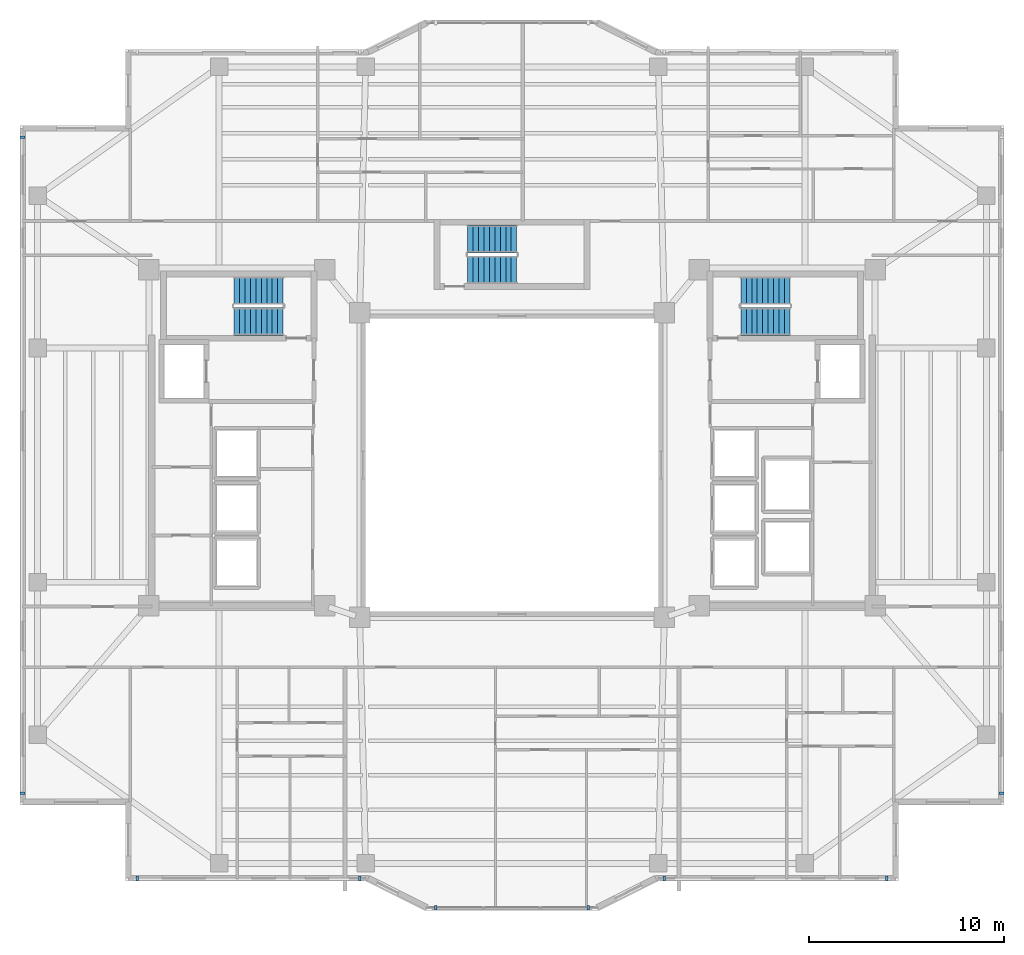
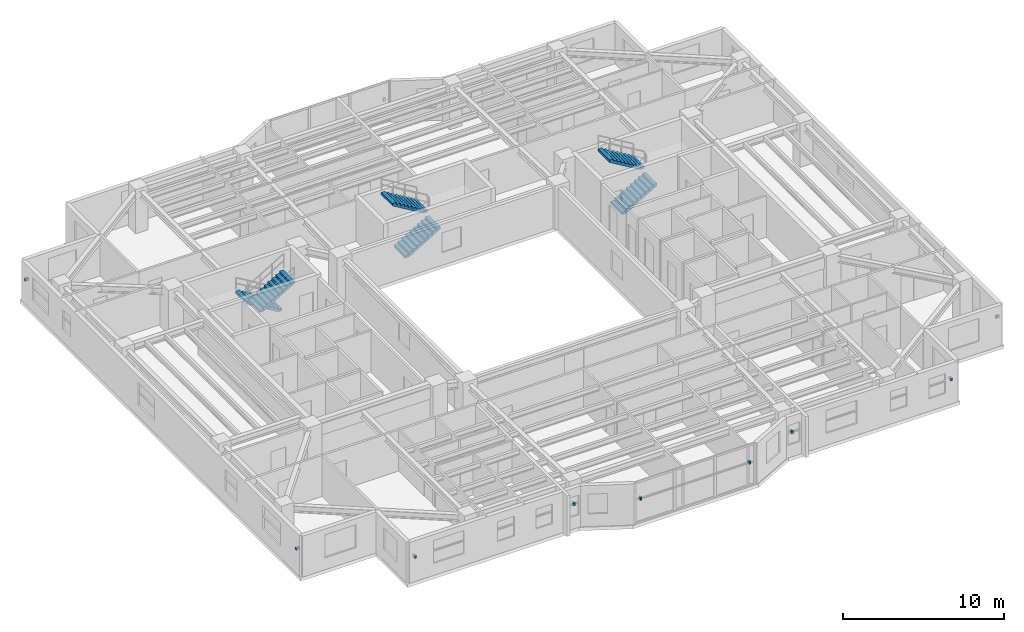
# One storey, part 11 of 15: 9 discrete accessories, 6 stair flights, 3 elements without a shape of their own.
"""IFC4 building model written with IfcOpenShell, lengths in metres."""

from ifc_helpers import new_model, si_unit, direction, frame, origin, origin_2d, place, context, subcontext, project, spatial, polyline, rectangle, outline, extrude, material, type_object, element, aggregate, save


model = new_model("IFC4")

# Units and contexts
model_context = context("Model", 3, precision=1e-05, world=origin(), true_north=direction((0.0, 1.0)))
body_context = subcontext(model_context, "Body", "Model", "MODEL_VIEW")
ifc_project = project(units=[si_unit("LENGTHUNIT", "METRE"), si_unit("AREAUNIT", "SQUARE_METRE"), si_unit("VOLUMEUNIT", "CUBIC_METRE"), si_unit("PLANEANGLEUNIT", "RADIAN"), si_unit("MASSUNIT", "GRAM", prefix="KILO")], contexts=[model_context])

# Site, building, storey
site_placement = place(None, origin())
site = spatial("IfcSite", under=ifc_project, at=site_placement, CompositionType="ELEMENT")
building_placement = place(site_placement, origin())
building = spatial("IfcBuilding", under=site, at=building_placement, Name="Tarnavaz Court Tower", CompositionType="ELEMENT")
storey_placement = place(building_placement, frame((0.0, 0.0, 162.75)))
storey = spatial("IfcBuildingStorey", under=building, at=storey_placement, Name="L44", CompositionType="ELEMENT", Elevation=162.75)

# Stair, stair flights
ifc_material_1 = material(Name="Concrete C40/50", Category="concrete")
stair_type = type_object("IfcStairType", Name="ST-TWR-20R", PredefinedType="HALF_TURN_STAIR", material=ifc_material_1)
stair_1_placement = place(storey_placement, origin())
stair_1 = element("IfcStair", 1, at=stair_1_placement, inside=storey, type_object=stair_type, Name="L44 West Core Pressurized Exit Stair ST-W1", PredefinedType="HALF_TURN_STAIR")
stair_flight_type = type_object("IfcStairFlightType", Name="SFL-RC-20R", PredefinedType="STRAIGHT", material=ifc_material_1)
stair_flight_1_placement = place(storey_placement, frame((-11.719970703125, 8.929931640625, 0.0), z_axis=(0.0, 0.0, 1.0), x_axis=(-1.0, 0.0, 0.0)))
stair_flight_1 = element("IfcStairFlight", 2, at=stair_flight_1_placement, type_object=stair_flight_type, Name="ST-W1 flight 1", NumberOfRisers=10, NumberOfTreads=9, PredefinedType="STRAIGHT", RiserHeight=0.1675, TreadLength=0.28, context=body_context, shape_type="SweptSolid", body=[
    extrude(outline(polyline([(0.0, 0.0), (0.0, 0.16748046875), (0.280029296875, 0.16748046875), (0.280029296875, 0.3349609375), (0.56005859375, 0.3349609375), (0.56005859375, 0.50244140625), (0.840087890625, 0.50244140625), (0.840087890625, 0.669921875), (1.1201171875, 0.669921875), (1.1201171875, 0.83740234375), (1.39990234375, 0.83740234375), (1.39990234375, 1.0048828125), (1.679931640625, 1.0048828125), (1.679931640625, 1.172607421875), (1.9599609375, 1.172607421875), (1.9599609375, 1.340087890625), (2.239990234375, 1.340087890625), (2.239990234375, 1.507568359375), (2.52001953125, 1.507568359375), (2.52001953125, 1.675048828125), (2.52001953125, 1.332763671875), (0.2919921875, 0.0), (0.0, 0.0)])), frame((0.0, 0.7099609375, 0.0), z_axis=(0.0, -1.0, 0.0), x_axis=(1.0, 0.0, 0.0)), (0.0, 0.0, 1.0), 1.419921875),
])
stair_flight_2_placement = place(storey_placement, frame((-14.239990234375, 7.360107421875, 1.675048828125), z_axis=(0.0, 0.0, 1.0), x_axis=(1.0, 0.0, 0.0)))
stair_flight_2 = element("IfcStairFlight", 3, at=stair_flight_2_placement, type_object=stair_flight_type, Name="ST-W1 flight 2", NumberOfRisers=10, NumberOfTreads=9, PredefinedType="STRAIGHT", RiserHeight=0.1675, TreadLength=0.28, context=body_context, shape_type="SweptSolid", body=[
    extrude(outline(polyline([(0.0, 0.0), (0.0, 0.16748046875), (0.280029296875, 0.16748046875), (0.280029296875, 0.3349609375), (0.56005859375, 0.3349609375), (0.56005859375, 0.50244140625), (0.840087890625, 0.50244140625), (0.840087890625, 0.669921875), (1.1201171875, 0.669921875), (1.1201171875, 0.83740234375), (1.39990234375, 0.83740234375), (1.39990234375, 1.0048828125), (1.679931640625, 1.0048828125), (1.679931640625, 1.172607421875), (1.9599609375, 1.172607421875), (1.9599609375, 1.340087890625), (2.239990234375, 1.340087890625), (2.239990234375, 1.507568359375), (2.52001953125, 1.507568359375), (2.52001953125, 1.675048828125), (2.52001953125, 1.332763671875), (0.2919921875, 0.0), (0.0, 0.0)])), frame((0.0, 0.7099609375, 0.0), z_axis=(0.0, -1.0, 0.0), x_axis=(1.0, 0.0, 0.0)), (0.0, 0.0, 1.0), 1.419921875),
])
aggregate(stair_1, [stair_flight_1, stair_flight_2])

stair_2_placement = place(storey_placement, origin())
stair_2 = element("IfcStair", 4, at=stair_2_placement, inside=storey, type_object=stair_type, Name="L44 East Core Pressurized Exit Stair ST-E1", PredefinedType="HALF_TURN_STAIR")
stair_flight_3_placement = place(storey_placement, frame((11.719970703125, 7.360107421875, 0.0), z_axis=(0.0, 0.0, 1.0), x_axis=(1.0, 0.0, 0.0)))
stair_flight_3 = element("IfcStairFlight", 5, at=stair_flight_3_placement, type_object=stair_flight_type, Name="ST-E1 flight 1", NumberOfRisers=10, NumberOfTreads=9, PredefinedType="STRAIGHT", RiserHeight=0.1675, TreadLength=0.28, context=body_context, shape_type="SweptSolid", body=[
    extrude(outline(polyline([(0.0, 0.0), (0.0, 0.16748046875), (0.280029296875, 0.16748046875), (0.280029296875, 0.3349609375), (0.56005859375, 0.3349609375), (0.56005859375, 0.50244140625), (0.840087890625, 0.50244140625), (0.840087890625, 0.669921875), (1.1201171875, 0.669921875), (1.1201171875, 0.83740234375), (1.39990234375, 0.83740234375), (1.39990234375, 1.0048828125), (1.679931640625, 1.0048828125), (1.679931640625, 1.172607421875), (1.9599609375, 1.172607421875), (1.9599609375, 1.340087890625), (2.239990234375, 1.340087890625), (2.239990234375, 1.507568359375), (2.52001953125, 1.507568359375), (2.52001953125, 1.675048828125), (2.52001953125, 1.332763671875), (0.2919921875, 0.0), (0.0, 0.0)])), frame((0.0, 0.7099609375, 0.0), z_axis=(0.0, -1.0, 0.0), x_axis=(1.0, 0.0, 0.0)), (0.0, 0.0, 1.0), 1.419921875),
])
stair_flight_4_placement = place(storey_placement, frame((14.239990234375, 8.929931640625, 1.675048828125), z_axis=(0.0, 0.0, 1.0), x_axis=(-1.0, 0.0, 0.0)))
stair_flight_4 = element("IfcStairFlight", 6, at=stair_flight_4_placement, type_object=stair_flight_type, Name="ST-E1 flight 2", NumberOfRisers=10, NumberOfTreads=9, PredefinedType="STRAIGHT", RiserHeight=0.1675, TreadLength=0.28, context=body_context, shape_type="SweptSolid", body=[
    extrude(outline(polyline([(0.0, 0.0), (0.0, 0.16748046875), (0.280029296875, 0.16748046875), (0.280029296875, 0.3349609375), (0.56005859375, 0.3349609375), (0.56005859375, 0.50244140625), (0.840087890625, 0.50244140625), (0.840087890625, 0.669921875), (1.1201171875, 0.669921875), (1.1201171875, 0.83740234375), (1.39990234375, 0.83740234375), (1.39990234375, 1.0048828125), (1.679931640625, 1.0048828125), (1.679931640625, 1.172607421875), (1.9599609375, 1.172607421875), (1.9599609375, 1.340087890625), (2.239990234375, 1.340087890625), (2.239990234375, 1.507568359375), (2.52001953125, 1.507568359375), (2.52001953125, 1.675048828125), (2.52001953125, 1.332763671875), (0.2919921875, 0.0), (0.0, 0.0)])), frame((0.0, 0.7099609375, 0.0), z_axis=(0.0, -1.0, 0.0), x_axis=(1.0, 0.0, 0.0)), (0.0, 0.0, 1.0), 1.419921875),
])
aggregate(stair_2, [stair_flight_3, stair_flight_4])

stair_3_placement = place(storey_placement, origin())
stair_3 = element("IfcStair", 7, at=stair_3_placement, inside=storey, type_object=stair_type, Name="L44 North Ring Pressurized Exit Stair ST-N1", PredefinedType="HALF_TURN_STAIR")
stair_flight_5_placement = place(storey_placement, frame((-2.280029296875, 10.010009765625, 0.0), z_axis=(0.0, 0.0, 1.0), x_axis=(1.0, 0.0, 0.0)))
stair_flight_5 = element("IfcStairFlight", 8, at=stair_flight_5_placement, type_object=stair_flight_type, Name="ST-N1 flight 1", NumberOfRisers=10, NumberOfTreads=9, PredefinedType="STRAIGHT", RiserHeight=0.1675, TreadLength=0.28, context=body_context, shape_type="SweptSolid", body=[
    extrude(outline(polyline([(0.0, 0.0), (0.0, 0.16748046875), (0.280029296875, 0.16748046875), (0.280029296875, 0.3349609375), (0.56005859375, 0.3349609375), (0.56005859375, 0.50244140625), (0.840087890625, 0.50244140625), (0.840087890625, 0.669921875), (1.1201171875, 0.669921875), (1.1201171875, 0.83740234375), (1.39990234375, 0.83740234375), (1.39990234375, 1.0048828125), (1.679931640625, 1.0048828125), (1.679931640625, 1.172607421875), (1.9599609375, 1.172607421875), (1.9599609375, 1.340087890625), (2.239990234375, 1.340087890625), (2.239990234375, 1.507568359375), (2.52001953125, 1.507568359375), (2.52001953125, 1.675048828125), (2.52001953125, 1.332763671875), (0.2919921875, 0.0), (0.0, 0.0)])), frame((0.0, 0.7099609375, 0.0), z_axis=(0.0, -1.0, 0.0), x_axis=(1.0, 0.0, 0.0)), (0.0, 0.0, 1.0), 1.419921875),
])
stair_flight_6_placement = place(storey_placement, frame((0.239990234375, 11.580078125, 1.675048828125), z_axis=(0.0, 0.0, 1.0), x_axis=(-1.0, 0.0, 0.0)))
stair_flight_6 = element("IfcStairFlight", 9, at=stair_flight_6_placement, type_object=stair_flight_type, Name="ST-N1 flight 2", NumberOfRisers=10, NumberOfTreads=9, PredefinedType="STRAIGHT", RiserHeight=0.1675, TreadLength=0.28, context=body_context, shape_type="SweptSolid", body=[
    extrude(outline(polyline([(0.0, 0.0), (0.0, 0.16748046875), (0.280029296875, 0.16748046875), (0.280029296875, 0.3349609375), (0.56005859375, 0.3349609375), (0.56005859375, 0.50244140625), (0.840087890625, 0.50244140625), (0.840087890625, 0.669921875), (1.1201171875, 0.669921875), (1.1201171875, 0.83740234375), (1.39990234375, 0.83740234375), (1.39990234375, 1.0048828125), (1.679931640625, 1.0048828125), (1.679931640625, 1.172607421875), (1.9599609375, 1.172607421875), (1.9599609375, 1.340087890625), (2.239990234375, 1.340087890625), (2.239990234375, 1.507568359375), (2.52001953125, 1.507568359375), (2.52001953125, 1.675048828125), (2.52001953125, 1.332763671875), (0.2919921875, 0.0), (0.0, 0.0)])), frame((0.0, 0.7099609375, 0.0), z_axis=(0.0, -1.0, 0.0), x_axis=(1.0, 0.0, 0.0)), (0.0, 0.0, 1.0), 1.419921875),
])
aggregate(stair_3, [stair_flight_5, stair_flight_6])

# Discrete accessories
ifc_material_2 = material(Name="Anodised Aluminium 6063-T6", Category="aluminium")
discrete_accessory_type = type_object("IfcDiscreteAccessoryType", Name="DA-BRKT-ALU", PredefinedType="BRACKET", material=ifc_material_2)
for number, where, z_axis, x_axis, name in (
    (10, (-25.070068359375, -16.800048828125, 1.75), (0.0, 0.0, 1.0), (0.0, 1.0, 0.0), "L44 Baguette Outrigger Bracket FBG02-1"),
    (11, (-25.070068359375, 16.800048828125, 1.75), (0.0, 0.0, 1.0), (0.0, 1.0, 0.0), "L44 Baguette Outrigger Bracket FBG02-2"),
    (12, (25.070068359375, -16.800048828125, 1.75), (0.0, 0.0, 1.0), (0.0, -1.0, 0.0), "L44 Baguette Outrigger Bracket FBG12-2"),
    (13, (19.199951171875, -21.169921875, 1.75), (0.0, 0.0, 1.0), (-1.0, 0.0, 0.0), "L44 Baguette Outrigger Bracket FBG15-1"),
    (14, (7.800048828125, -21.169921875, 1.75), (0.0, 0.0, 1.0), (-1.0, 0.0, 0.0), "L44 Baguette Outrigger Bracket FBG15-2"),
    (15, (3.89990234375, -22.669921875, 1.7001953125), (0.0, 0.0, 1.0), (-1.0, 0.0, 0.0), "L44 Baguette Outrigger Bracket PBG17-1"),
    (16, (-3.89990234375, -22.669921875, 1.7001953125), (0.0, 0.0, 1.0), (-1.0, 0.0, 0.0), "L44 Baguette Outrigger Bracket PBG17-2"),
    (17, (-7.800048828125, -21.169921875, 1.75), (0.0, 0.0, 1.0), (-1.0, 0.0, 0.0), "L44 Baguette Outrigger Bracket FBG19-1"),
    (18, (-19.199951171875, -21.169921875, 1.75), (0.0, 0.0, 1.0), (-1.0, 0.0, 0.0), "L44 Baguette Outrigger Bracket FBG19-2"),
):
    element("IfcDiscreteAccessory", number, at=place(storey_placement, frame(where, z_axis=z_axis, x_axis=x_axis)), inside=storey, type_object=discrete_accessory_type, Name=name, PredefinedType="BRACKET", context=body_context, shape_type="SweptSolid", body=[
        extrude(rectangle(XDim=0.139892578125, YDim=0.239990234375, at=origin_2d()), origin(), (0.0, 0.0, 1.0), 0.199951171875),
    ])

save(model, "model.ifc")
